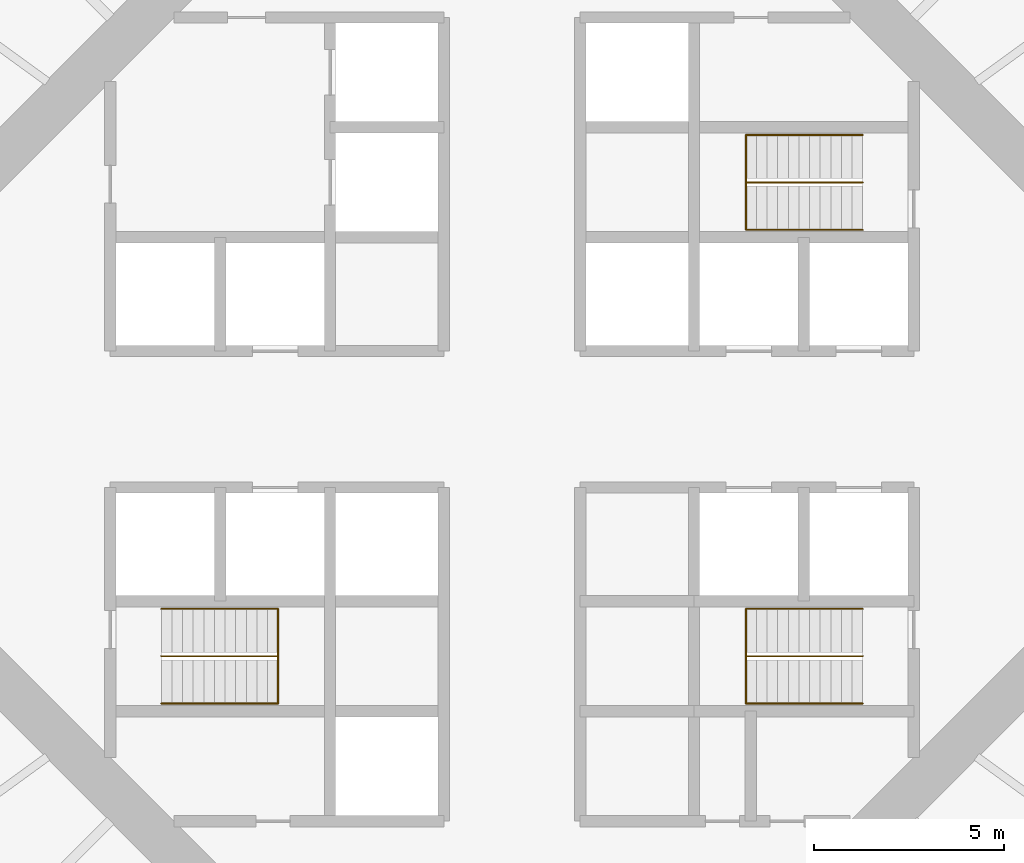
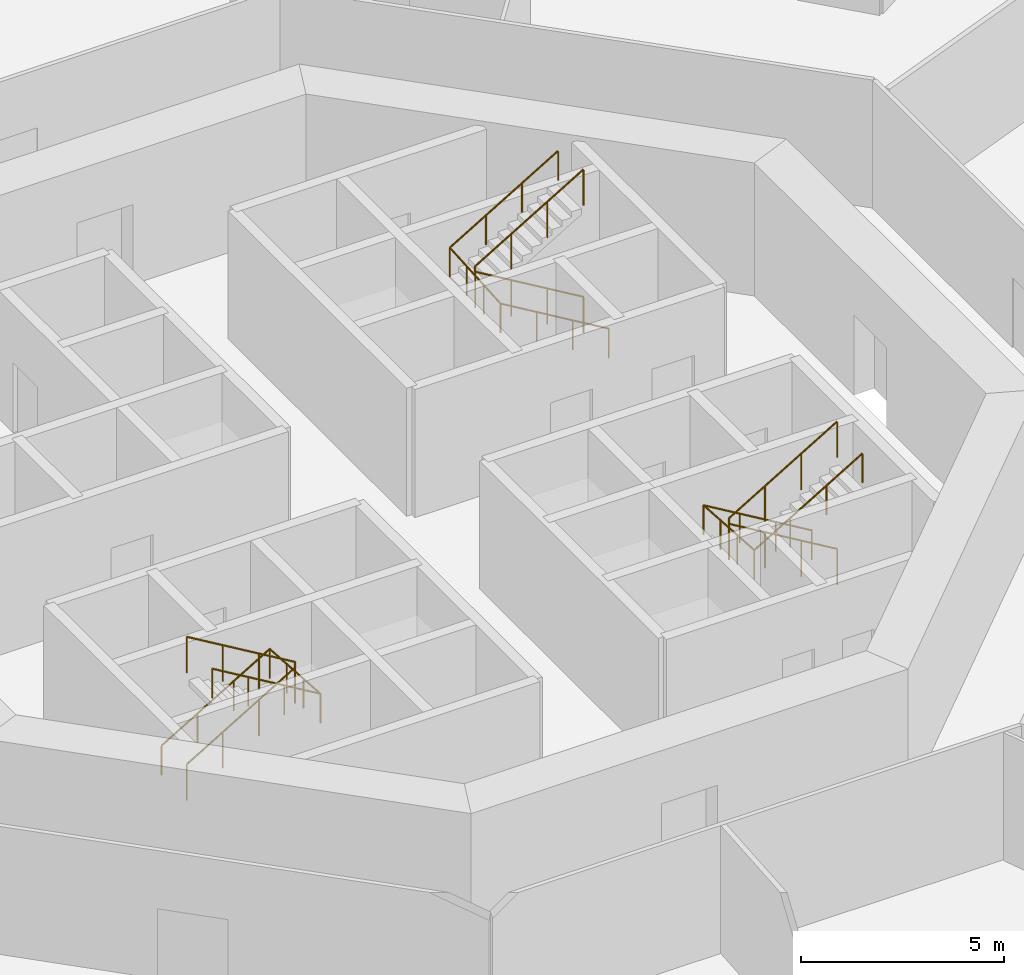
# One storey, part 12 of 12: 6 railings.
"""IFC4 building model written with IfcOpenShell, lengths in metres."""

from ifc_helpers import new_model, si_unit, direction, frame, origin, origin_2d, place, context, subcontext, project, spatial, circle, extrude, material, type_object, element, save


model = new_model("IFC4")

# Units and contexts
model_context = context("Model", 3, precision=1e-05, world=origin(), true_north=direction((0.0, 1.0)))
body_context = subcontext(model_context, "Body", "Model", "MODEL_VIEW")
ifc_project = project(units=[si_unit("LENGTHUNIT", "METRE"), si_unit("AREAUNIT", "SQUARE_METRE"), si_unit("VOLUMEUNIT", "CUBIC_METRE"), si_unit("PLANEANGLEUNIT", "RADIAN"), si_unit("MASSUNIT", "GRAM", prefix="KILO")], contexts=[model_context])

# Site, building, storey
site_placement = place(None, origin())
site = spatial("IfcSite", under=ifc_project, at=site_placement, CompositionType="ELEMENT")
building_placement = place(site_placement, origin())
building = spatial("IfcBuilding", under=site, at=building_placement, Name="Entoto Ring Tower", CompositionType="ELEMENT")
storey_placement = place(building_placement, frame((0.0, 0.0, 128.0)))
storey = spatial("IfcBuildingStorey", under=building, at=storey_placement, Name="L29", CompositionType="ELEMENT", Elevation=128.0)

# Railings
ifc_material_1 = material(Name="Steel S275", Category="steel")
railing_type_1 = type_object("IfcRailingType", Name="Stair guard 1100 mm steel", PredefinedType="GUARDRAIL", material=ifc_material_1)
railing_1_placement = place(storey_placement, frame((99.25, 86.25, 0.166748046875)))
element("IfcRailing", 1, at=railing_1_placement, inside=storey, type_object=railing_type_1, Name="Guard ST1", PredefinedType="GUARDRAIL", context=body_context, shape_type="SweptSolid", body=[
    extrude(circle(Radius=0.02392578125, at=origin_2d()), frame((0.0, 0.0, 1.076171875), z_axis=(-0.859308565015, 0.0, 0.511457515432), x_axis=(0.0, -1.0, 0.0)), (0.0, 0.0, 1.0), 3.58447265625),
    extrude(circle(Radius=0.02392578125, at=origin_2d()), frame((-3.080078125, 0.0, 2.9091796875), z_axis=(0.0, 0.0, 1.0), x_axis=(1.0, 0.0, 0.0)), (0.0, 0.0, 1.0), 0.166748046875),
    extrude(circle(Radius=0.02392578125, at=origin_2d()), frame((-3.080078125, 0.0, 3.076171875), z_axis=(0.859308565015, 0.0, 0.511457515432), x_axis=(0.0, 1.0, 0.0)), (0.0, 0.0, 1.0), 3.58447265625),
    extrude(circle(Radius=0.02099609375, at=origin_2d()), origin(), (0.0, 0.0, 1.0), 1.052001953125),
    extrude(circle(Radius=0.02099609375, at=origin_2d()), frame((-1.026611328125, 0.0, 0.611083984375)), (0.0, 0.0, 1.0), 1.052001953125),
    extrude(circle(Radius=0.02099609375, at=origin_2d()), frame((-2.053466796875, 0.0, 1.22216796875)), (0.0, 0.0, 1.0), 1.052001953125),
    extrude(circle(Radius=0.02099609375, at=origin_2d()), frame((-3.080078125, 0.0, 1.833251953125)), (0.0, 0.0, 1.0), 1.052001953125),
    extrude(circle(Radius=0.02099609375, at=origin_2d()), frame((-3.080078125, 0.0, 2.0)), (0.0, 0.0, 1.0), 1.052001953125),
    extrude(circle(Radius=0.02099609375, at=origin_2d()), frame((-2.053466796875, 0.0, 2.611083984375)), (0.0, 0.0, 1.0), 1.052001953125),
    extrude(circle(Radius=0.02099609375, at=origin_2d()), frame((-1.026611328125, 0.0, 3.22216796875)), (0.0, 0.0, 1.0), 1.052001953125),
    extrude(circle(Radius=0.02099609375, at=origin_2d()), frame((0.0, 0.0, 3.833251953125)), (0.0, 0.0, 1.0), 1.052001953125),
])
railing_2_placement = place(storey_placement, frame((80.75, 73.75, 0.166748046875)))
element("IfcRailing", 2, at=railing_2_placement, inside=storey, type_object=railing_type_1, Name="Guard ST2", PredefinedType="GUARDRAIL", context=body_context, shape_type="SweptSolid", body=[
    extrude(circle(Radius=0.02392578125, at=origin_2d()), frame((0.0, 0.0, 1.076171875), z_axis=(0.859308565015, 0.0, 0.511457515432), x_axis=(0.0, 1.0, 0.0)), (0.0, 0.0, 1.0), 3.58447265625),
    extrude(circle(Radius=0.02392578125, at=origin_2d()), frame((3.080078125, 0.0, 2.9091796875), z_axis=(0.0, 0.0, 1.0), x_axis=(1.0, 0.0, 0.0)), (0.0, 0.0, 1.0), 0.166748046875),
    extrude(circle(Radius=0.02392578125, at=origin_2d()), frame((3.080078125, 0.0, 3.076171875), z_axis=(-0.859308565015, 0.0, 0.511457515432), x_axis=(0.0, -1.0, 0.0)), (0.0, 0.0, 1.0), 3.58447265625),
    extrude(circle(Radius=0.02099609375, at=origin_2d()), origin(), (0.0, 0.0, 1.0), 1.052001953125),
    extrude(circle(Radius=0.02099609375, at=origin_2d()), frame((1.026611328125, 0.0, 0.611083984375)), (0.0, 0.0, 1.0), 1.052001953125),
    extrude(circle(Radius=0.02099609375, at=origin_2d()), frame((2.053466796875, 0.0, 1.22216796875)), (0.0, 0.0, 1.0), 1.052001953125),
    extrude(circle(Radius=0.02099609375, at=origin_2d()), frame((3.080078125, 0.0, 1.833251953125)), (0.0, 0.0, 1.0), 1.052001953125),
    extrude(circle(Radius=0.02099609375, at=origin_2d()), frame((3.080078125, 0.0, 2.0)), (0.0, 0.0, 1.0), 1.052001953125),
    extrude(circle(Radius=0.02099609375, at=origin_2d()), frame((2.053466796875, 0.0, 2.611083984375)), (0.0, 0.0, 1.0), 1.052001953125),
    extrude(circle(Radius=0.02099609375, at=origin_2d()), frame((1.026611328125, 0.0, 3.22216796875)), (0.0, 0.0, 1.0), 1.052001953125),
    extrude(circle(Radius=0.02099609375, at=origin_2d()), frame((0.0, 0.0, 3.833251953125)), (0.0, 0.0, 1.0), 1.052001953125),
])
railing_3_placement = place(storey_placement, frame((99.25, 73.75, 0.166748046875)))
element("IfcRailing", 3, at=railing_3_placement, inside=storey, type_object=railing_type_1, Name="Guard ST3", PredefinedType="GUARDRAIL", context=body_context, shape_type="SweptSolid", body=[
    extrude(circle(Radius=0.02392578125, at=origin_2d()), frame((0.0, 0.0, 1.076171875), z_axis=(-0.859308565015, 0.0, 0.511457515432), x_axis=(0.0, -1.0, 0.0)), (0.0, 0.0, 1.0), 3.58447265625),
    extrude(circle(Radius=0.02392578125, at=origin_2d()), frame((-3.080078125, 0.0, 2.9091796875), z_axis=(0.0, 0.0, 1.0), x_axis=(1.0, 0.0, 0.0)), (0.0, 0.0, 1.0), 0.166748046875),
    extrude(circle(Radius=0.02392578125, at=origin_2d()), frame((-3.080078125, 0.0, 3.076171875), z_axis=(0.859308565015, 0.0, 0.511457515432), x_axis=(0.0, 1.0, 0.0)), (0.0, 0.0, 1.0), 3.58447265625),
    extrude(circle(Radius=0.02099609375, at=origin_2d()), origin(), (0.0, 0.0, 1.0), 1.052001953125),
    extrude(circle(Radius=0.02099609375, at=origin_2d()), frame((-1.026611328125, 0.0, 0.611083984375)), (0.0, 0.0, 1.0), 1.052001953125),
    extrude(circle(Radius=0.02099609375, at=origin_2d()), frame((-2.053466796875, 0.0, 1.22216796875)), (0.0, 0.0, 1.0), 1.052001953125),
    extrude(circle(Radius=0.02099609375, at=origin_2d()), frame((-3.080078125, 0.0, 1.833251953125)), (0.0, 0.0, 1.0), 1.052001953125),
    extrude(circle(Radius=0.02099609375, at=origin_2d()), frame((-3.080078125, 0.0, 2.0)), (0.0, 0.0, 1.0), 1.052001953125),
    extrude(circle(Radius=0.02099609375, at=origin_2d()), frame((-2.053466796875, 0.0, 2.611083984375)), (0.0, 0.0, 1.0), 1.052001953125),
    extrude(circle(Radius=0.02099609375, at=origin_2d()), frame((-1.026611328125, 0.0, 3.22216796875)), (0.0, 0.0, 1.0), 1.052001953125),
    extrude(circle(Radius=0.02099609375, at=origin_2d()), frame((0.0, 0.0, 3.833251953125)), (0.0, 0.0, 1.0), 1.052001953125),
])
ifc_material_2 = material(Name="Steel S275", Category="steel")
railing_type_2 = type_object("IfcRailingType", Name="Stair handrail 900 mm steel", PredefinedType="HANDRAIL", material=ifc_material_2)
railing_4_placement = place(storey_placement, frame((99.25, 85.0, 0.166748046875)))
element("IfcRailing", 4, at=railing_4_placement, inside=storey, type_object=railing_type_2, Name="Handrail ST1", PredefinedType="HANDRAIL", context=body_context, shape_type="SweptSolid", body=[
    extrude(circle(Radius=0.02392578125, at=origin_2d()), frame((0.0, 0.0, 0.8759765625), z_axis=(-0.859308565015, 0.0, 0.511457515432), x_axis=(0.0, -1.0, 0.0)), (0.0, 0.0, 1.0), 3.58447265625),
    extrude(circle(Radius=0.02392578125, at=origin_2d()), frame((-3.080078125, 0.0, 2.708984375), z_axis=(0.0, 0.997783001586, 0.066551346688), x_axis=(-1.0, 0.0, 0.0)), (0.0, 0.0, 1.0), 2.505615234375),
    extrude(circle(Radius=0.02392578125, at=origin_2d()), frame((-3.080078125, 2.5, 2.8759765625), z_axis=(0.859308565015, 0.0, 0.511457515432), x_axis=(0.0, 1.0, 0.0)), (0.0, 0.0, 1.0), 3.58447265625),
    extrude(circle(Radius=0.02099609375, at=origin_2d()), origin(), (0.0, 0.0, 1.0), 0.851806640625),
    extrude(circle(Radius=0.02099609375, at=origin_2d()), frame((-1.026611328125, 0.0, 0.611083984375)), (0.0, 0.0, 1.0), 0.851806640625),
    extrude(circle(Radius=0.02099609375, at=origin_2d()), frame((-2.053466796875, 0.0, 1.22216796875)), (0.0, 0.0, 1.0), 0.851806640625),
    extrude(circle(Radius=0.02099609375, at=origin_2d()), frame((-3.080078125, 0.0, 1.833251953125)), (0.0, 0.0, 1.0), 0.851806640625),
    extrude(circle(Radius=0.02099609375, at=origin_2d()), frame((-3.080078125, 0.833251953125, 1.888916015625)), (0.0, 0.0, 1.0), 0.851806640625),
    extrude(circle(Radius=0.02099609375, at=origin_2d()), frame((-3.080078125, 1.666748046875, 1.9443359375)), (0.0, 0.0, 1.0), 0.851806640625),
    extrude(circle(Radius=0.02099609375, at=origin_2d()), frame((-3.080078125, 2.5, 2.0)), (0.0, 0.0, 1.0), 0.851806640625),
    extrude(circle(Radius=0.02099609375, at=origin_2d()), frame((-2.053466796875, 2.5, 2.611083984375)), (0.0, 0.0, 1.0), 0.851806640625),
    extrude(circle(Radius=0.02099609375, at=origin_2d()), frame((-1.026611328125, 2.5, 3.22216796875)), (0.0, 0.0, 1.0), 0.851806640625),
    extrude(circle(Radius=0.02099609375, at=origin_2d()), frame((0.0, 2.5, 3.833251953125)), (0.0, 0.0, 1.0), 0.851806640625),
])
railing_5_placement = place(storey_placement, frame((80.75, 75.0, 0.166748046875)))
element("IfcRailing", 5, at=railing_5_placement, inside=storey, type_object=railing_type_2, Name="Handrail ST2", PredefinedType="HANDRAIL", context=body_context, shape_type="SweptSolid", body=[
    extrude(circle(Radius=0.02392578125, at=origin_2d()), frame((0.0, 0.0, 0.8759765625), z_axis=(0.859308565015, 0.0, 0.511457515432), x_axis=(0.0, 1.0, 0.0)), (0.0, 0.0, 1.0), 3.58447265625),
    extrude(circle(Radius=0.02392578125, at=origin_2d()), frame((3.080078125, 0.0, 2.708984375), z_axis=(0.0, -0.997783001586, 0.066551346688), x_axis=(1.0, 0.0, 0.0)), (0.0, 0.0, 1.0), 2.505615234375),
    extrude(circle(Radius=0.02392578125, at=origin_2d()), frame((3.080078125, -2.5, 2.8759765625), z_axis=(-0.859308565015, 0.0, 0.511457515432), x_axis=(0.0, -1.0, 0.0)), (0.0, 0.0, 1.0), 3.58447265625),
    extrude(circle(Radius=0.02099609375, at=origin_2d()), origin(), (0.0, 0.0, 1.0), 0.851806640625),
    extrude(circle(Radius=0.02099609375, at=origin_2d()), frame((1.026611328125, 0.0, 0.611083984375)), (0.0, 0.0, 1.0), 0.851806640625),
    extrude(circle(Radius=0.02099609375, at=origin_2d()), frame((2.053466796875, 0.0, 1.22216796875)), (0.0, 0.0, 1.0), 0.851806640625),
    extrude(circle(Radius=0.02099609375, at=origin_2d()), frame((3.080078125, 0.0, 1.833251953125)), (0.0, 0.0, 1.0), 0.851806640625),
    extrude(circle(Radius=0.02099609375, at=origin_2d()), frame((3.080078125, -0.833251953125, 1.888916015625)), (0.0, 0.0, 1.0), 0.851806640625),
    extrude(circle(Radius=0.02099609375, at=origin_2d()), frame((3.080078125, -1.666748046875, 1.9443359375)), (0.0, 0.0, 1.0), 0.851806640625),
    extrude(circle(Radius=0.02099609375, at=origin_2d()), frame((3.080078125, -2.5, 2.0)), (0.0, 0.0, 1.0), 0.851806640625),
    extrude(circle(Radius=0.02099609375, at=origin_2d()), frame((2.053466796875, -2.5, 2.611083984375)), (0.0, 0.0, 1.0), 0.851806640625),
    extrude(circle(Radius=0.02099609375, at=origin_2d()), frame((1.026611328125, -2.5, 3.22216796875)), (0.0, 0.0, 1.0), 0.851806640625),
    extrude(circle(Radius=0.02099609375, at=origin_2d()), frame((0.0, -2.5, 3.833251953125)), (0.0, 0.0, 1.0), 0.851806640625),
])
railing_6_placement = place(storey_placement, frame((99.25, 75.0, 0.166748046875)))
element("IfcRailing", 6, at=railing_6_placement, inside=storey, type_object=railing_type_2, Name="Handrail ST3", PredefinedType="HANDRAIL", context=body_context, shape_type="SweptSolid", body=[
    extrude(circle(Radius=0.02392578125, at=origin_2d()), frame((0.0, 0.0, 0.8759765625), z_axis=(-0.859308565015, 0.0, 0.511457515432), x_axis=(0.0, -1.0, 0.0)), (0.0, 0.0, 1.0), 3.58447265625),
    extrude(circle(Radius=0.02392578125, at=origin_2d()), frame((-3.080078125, 0.0, 2.708984375), z_axis=(0.0, -0.997783001586, 0.066551346688), x_axis=(1.0, 0.0, 0.0)), (0.0, 0.0, 1.0), 2.505615234375),
    extrude(circle(Radius=0.02392578125, at=origin_2d()), frame((-3.080078125, -2.5, 2.8759765625), z_axis=(0.859308565015, 0.0, 0.511457515432), x_axis=(0.0, 1.0, 0.0)), (0.0, 0.0, 1.0), 3.58447265625),
    extrude(circle(Radius=0.02099609375, at=origin_2d()), origin(), (0.0, 0.0, 1.0), 0.851806640625),
    extrude(circle(Radius=0.02099609375, at=origin_2d()), frame((-1.026611328125, 0.0, 0.611083984375)), (0.0, 0.0, 1.0), 0.851806640625),
    extrude(circle(Radius=0.02099609375, at=origin_2d()), frame((-2.053466796875, 0.0, 1.22216796875)), (0.0, 0.0, 1.0), 0.851806640625),
    extrude(circle(Radius=0.02099609375, at=origin_2d()), frame((-3.080078125, 0.0, 1.833251953125)), (0.0, 0.0, 1.0), 0.851806640625),
    extrude(circle(Radius=0.02099609375, at=origin_2d()), frame((-3.080078125, -0.833251953125, 1.888916015625)), (0.0, 0.0, 1.0), 0.851806640625),
    extrude(circle(Radius=0.02099609375, at=origin_2d()), frame((-3.080078125, -1.666748046875, 1.9443359375)), (0.0, 0.0, 1.0), 0.851806640625),
    extrude(circle(Radius=0.02099609375, at=origin_2d()), frame((-3.080078125, -2.5, 2.0)), (0.0, 0.0, 1.0), 0.851806640625),
    extrude(circle(Radius=0.02099609375, at=origin_2d()), frame((-2.053466796875, -2.5, 2.611083984375)), (0.0, 0.0, 1.0), 0.851806640625),
    extrude(circle(Radius=0.02099609375, at=origin_2d()), frame((-1.026611328125, -2.5, 3.22216796875)), (0.0, 0.0, 1.0), 0.851806640625),
    extrude(circle(Radius=0.02099609375, at=origin_2d()), frame((0.0, -2.5, 3.833251953125)), (0.0, 0.0, 1.0), 0.851806640625),
])

save(model, "model.ifc")
